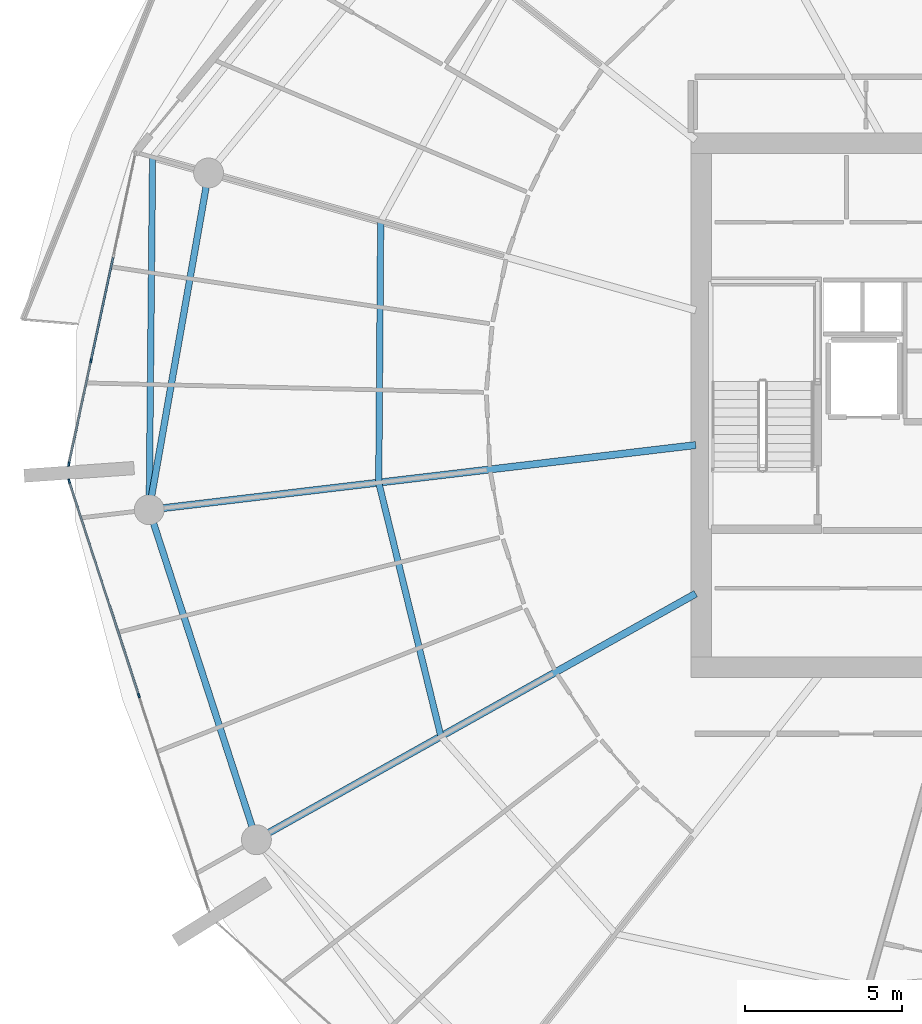
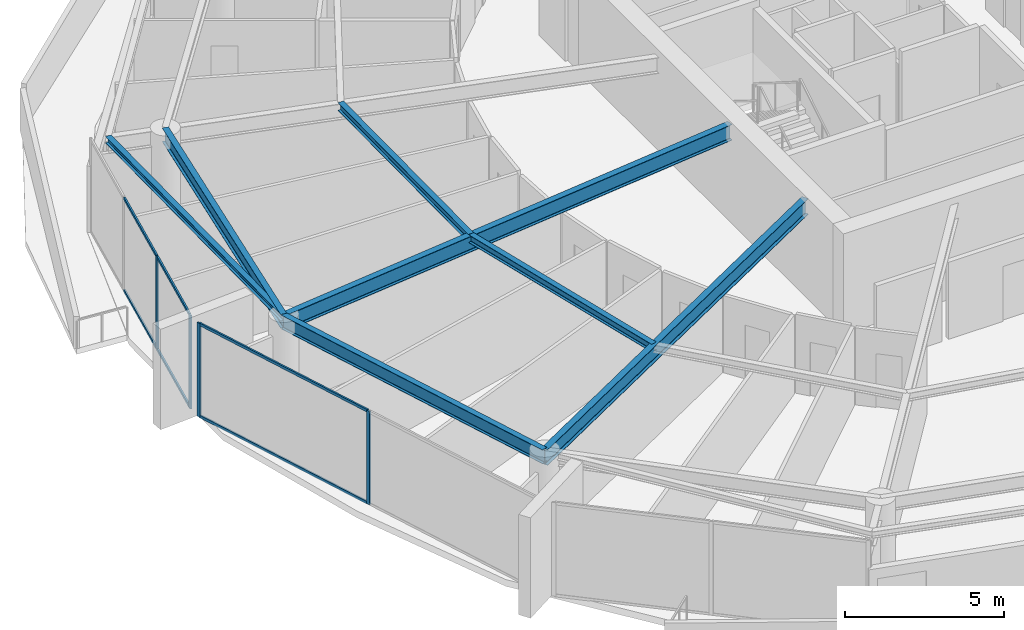
# One storey, part 8 of 31: 10 members, 7 beams, 2 elements without a shape of their own.
"""IFC4 building model written with IfcOpenShell, lengths in metres."""

from ifc_helpers import new_model, si_unit, direction, frame, origin, origin_2d, place, context, subcontext, project, spatial, rectangle, i_section, extrude, material, layer, layer_set, material_profile, profile_set, type_object, element, aggregate, save


model = new_model("IFC4")

# Units and contexts
model_context = context("Model", 3, precision=1e-05, world=origin(), true_north=direction((0.0, 1.0)))
body_context = subcontext(model_context, "Body", "Model", "MODEL_VIEW")
ifc_project = project(units=[si_unit("LENGTHUNIT", "METRE"), si_unit("AREAUNIT", "SQUARE_METRE"), si_unit("VOLUMEUNIT", "CUBIC_METRE"), si_unit("PLANEANGLEUNIT", "RADIAN"), si_unit("MASSUNIT", "GRAM", prefix="KILO")], contexts=[model_context])

# Site, building, storey
site_placement = place(None, origin())
site = spatial("IfcSite", under=ifc_project, at=site_placement, CompositionType="ELEMENT")
building_placement = place(site_placement, origin())
building = spatial("IfcBuilding", under=site, at=building_placement, Name="Kazma Halo Residences", CompositionType="ELEMENT")
storey_placement = place(building_placement, frame((0.0, 0.0, 271.35009765625)))
storey = spatial("IfcBuildingStorey", under=building, at=storey_placement, Name="L68", CompositionType="ELEMENT", Elevation=271.35009765625)

# Beams
ifc_material_1 = material(Name="Steel S355", Category="steel")
ifc_material_profile_1 = material_profile(ifc_material_1, i_section(OverallWidth=0.201904296875, OverallDepth=0.2470703125, WebThickness=0.00732421875, FlangeThickness=0.010986328125, FilletRadius=0.011962890625, at=origin_2d()), Name="W250x49.1")
ifc_profile_set_1 = profile_set([ifc_material_profile_1], Name="Steel S355")
beam_type_1 = type_object("IfcBeamType", Name="BM-BAL-CANT", PredefinedType="BEAM", material=ifc_profile_set_1)
beam_1_placement = place(storey_placement, frame((20.028564453125, 49.888916015625, 3.46630859375), z_axis=(-0.009645503464, -0.999953481049, 0.0), x_axis=(0.999953481049, -0.009645503464, 0.0)))
element("IfcBeam", 1, at=beam_1_placement, inside=storey, type_object=beam_type_1, Name="L68 wave-balcony tie beam 07", PredefinedType="BEAM", context=body_context, shape_type="SweptSolid", body=[
    extrude(i_section(OverallWidth=0.201904296875, OverallDepth=0.2470703125, WebThickness=0.00732421875, FlangeThickness=0.010986328125, FilletRadius=0.011962890625, at=origin_2d()), origin(), (0.0, 0.0, 1.0), 11.212890625),
])
ifc_material_profile_2 = material_profile(ifc_material_1, i_section(OverallWidth=0.22802734375, OverallDepth=0.60791015625, WebThickness=0.01123046875, FlangeThickness=0.017333984375, FilletRadius=0.01806640625, at=origin_2d()), Name="W610x113")
ifc_profile_set_2 = profile_set([ifc_material_profile_2], Name="Steel S355")
beam_type_2 = type_object("IfcBeamType", Name="BM-RAD-W610", PredefinedType="BEAM", material=ifc_profile_set_2)
beam_2_placement = place(storey_placement, frame((37.300048828125, 40.733642578125, 3.285888671875), z_axis=(-0.993067702517, -0.117543771495, 0.0), x_axis=(0.117543771495, -0.993067702517, 0.0)))
element("IfcBeam", 2, at=beam_2_placement, inside=storey, type_object=beam_type_2, Name="L68 radial floor beam 08", PredefinedType="BEAM", context=body_context, shape_type="SweptSolid", body=[
    extrude(i_section(OverallWidth=0.22802734375, OverallDepth=0.60791015625, WebThickness=0.01123046875, FlangeThickness=0.017333984375, FilletRadius=0.01806640625, at=origin_2d()), origin(), (0.0, 0.0, 1.0), 17.5009765625),
])
beam_3_placement = place(storey_placement, frame((37.300048828125, 36.0078125, 3.285888671875), z_axis=(-0.872498735757, -0.488616369049, 0.0), x_axis=(0.488616369049, -0.872498735757, 0.0)))
element("IfcBeam", 3, at=beam_3_placement, inside=storey, type_object=beam_type_2, Name="L68 radial floor beam 09", PredefinedType="BEAM", context=body_context, shape_type="SweptSolid", body=[
    extrude(i_section(OverallWidth=0.22802734375, OverallDepth=0.60791015625, WebThickness=0.01123046875, FlangeThickness=0.017333984375, FilletRadius=0.01806640625, at=origin_2d()), origin(), (0.0, 0.0, 1.0), 16.011962890625),
])
ifc_material_profile_3 = material_profile(ifc_material_1, i_section(OverallWidth=0.202880859375, OverallDepth=0.302978515625, WebThickness=0.007568359375, FlangeThickness=0.01318359375, FilletRadius=0.013916015625, at=origin_2d()), Name="W310x60")
ifc_profile_set_3 = profile_set([ifc_material_profile_3], Name="Steel S355")
beam_type_3 = type_object("IfcBeamType", Name="BM-SEC-W310A", PredefinedType="JOIST", material=ifc_profile_set_3)
beam_4_placement = place(storey_placement, frame((27.282470703125, 47.843017578125, 3.4384765625), z_axis=(-0.007527648623, -0.999971666852, 0.0), x_axis=(0.999971666852, -0.007527648623, 0.0)))
element("IfcBeam", 4, at=beam_4_placement, inside=storey, type_object=beam_type_3, Name="L68 circumferential floor joist 07", PredefinedType="JOIST", context=body_context, shape_type="SweptSolid", body=[
    extrude(i_section(OverallWidth=0.202880859375, OverallDepth=0.302978515625, WebThickness=0.007568359375, FlangeThickness=0.01318359375, FilletRadius=0.013916015625, at=origin_2d()), origin(), (0.0, 0.0, 1.0), 8.302734375),
])
beam_5_placement = place(storey_placement, frame((27.219970703125, 39.54052734375, 3.4384765625), z_axis=(0.237963200266, -0.971274171035, 0.0), x_axis=(0.971274171035, 0.237963200266, 0.0)))
element("IfcBeam", 5, at=beam_5_placement, inside=storey, type_object=beam_type_3, Name="L68 circumferential floor joist 08", PredefinedType="JOIST", context=body_context, shape_type="SweptSolid", body=[
    extrude(i_section(OverallWidth=0.202880859375, OverallDepth=0.302978515625, WebThickness=0.007568359375, FlangeThickness=0.01318359375, FilletRadius=0.013916015625, at=origin_2d()), origin(), (0.0, 0.0, 1.0), 8.309326171875),
])
ifc_material_profile_4 = material_profile(ifc_material_1, i_section(OverallWidth=0.208984375, OverallDepth=0.532958984375, WebThickness=0.01025390625, FlangeThickness=0.015625, FilletRadius=0.01611328125, at=origin_2d()), Name="W530x92")
ifc_profile_set_4 = profile_set([ifc_material_profile_4], Name="Steel S355")
beam_type_4 = type_object("IfcBeamType", Name="BM-SPN-W530", PredefinedType="BEAM", material=ifc_profile_set_4)
beam_6_placement = place(storey_placement, frame((21.80908203125, 49.38671875, 3.323486328125), z_axis=(-0.173663672311, -0.984805020763, 0.0), x_axis=(0.984805020763, -0.173663672311, 0.0)))
element("IfcBeam", 6, at=beam_6_placement, inside=storey, type_object=beam_type_4, Name="L68 perimeter ring beam 07", PredefinedType="BEAM", context=body_context, shape_type="SweptSolid", body=[
    extrude(i_section(OverallWidth=0.208984375, OverallDepth=0.532958984375, WebThickness=0.01025390625, FlangeThickness=0.015625, FilletRadius=0.01611328125, at=origin_2d()), origin(), (0.0, 0.0, 1.0), 10.87548828125),
])
beam_7_placement = place(storey_placement, frame((19.92041015625, 38.676513671875, 3.323486328125), z_axis=(0.309015517474, -0.951056996168, 0.0), x_axis=(0.951056996168, 0.309015517474, 0.0)))
element("IfcBeam", 7, at=beam_7_placement, inside=storey, type_object=beam_type_4, Name="L68 perimeter ring beam 08", PredefinedType="BEAM", context=body_context, shape_type="SweptSolid", body=[
    extrude(i_section(OverallWidth=0.208984375, OverallDepth=0.532958984375, WebThickness=0.01025390625, FlangeThickness=0.015625, FilletRadius=0.01611328125, at=origin_2d()), origin(), (0.0, 0.0, 1.0), 11.032470703125),
])

# Curtain wall, members
ifc_material_2 = material(Name="Aluminium AW-6063 T6 and Triple-Silver Low-E Glass", Category="aluminium")
ifc_layer = layer(ifc_material_2, 0.139892578125)
ifc_layer_set = layer_set([ifc_layer], Name="Aluminium AW-6063 T6 and Triple-Silver Low-E Glass")
curtain_wall_type = type_object("IfcCurtainWallType", Name="CW-SYS-5", PredefinedType="NOTDEFINED", material=ifc_layer_set)
curtain_wall_1_placement = place(storey_placement, origin())
curtain_wall_1 = element("IfcCurtainWall", 8, at=curtain_wall_1_placement, inside=storey, type_object=curtain_wall_type, Name="L68 unitised curtain wall B07", PredefinedType="NOTDEFINED")
ifc_material_3 = material(Name="Aluminium AW-6063 T6", Category="aluminium")
ifc_material_profile_5 = material_profile(ifc_material_3, rectangle(XDim=0.06005859375, YDim=0.139892578125, at=origin_2d()), Name="CWM-60x140")
ifc_profile_set_5 = profile_set([ifc_material_profile_5], Name="Aluminium AW-6063 T6")
member_type_1 = type_object("IfcMemberType", Name="CW-SYS-5-MUL", PredefinedType="MULLION", material=ifc_profile_set_5)
member_1_placement = place(storey_placement, frame((18.0703125, 43.412841796875, 0.0), z_axis=(0.0, 0.0, 1.0), x_axis=(0.97777491373, -0.209657382603, 0.0)))
member_1 = element("IfcMember", 9, at=member_1_placement, type_object=member_type_1, Name="CWS-5 mullion 3", PredefinedType="MULLION", context=body_context, shape_type="SweptSolid", body=[
    extrude(rectangle(XDim=0.06005859375, YDim=0.139892578125, at=origin_2d()), origin(), (0.0, 0.0, 1.0), 3.58984375),
])
member_2_placement = place(storey_placement, frame((17.3662109375, 40.12841796875, 0.0), z_axis=(0.0, 0.0, 1.0), x_axis=(0.97777491373, -0.209657382603, 0.0)))
member_2 = element("IfcMember", 10, at=member_2_placement, type_object=member_type_1, Name="CWS-5 mullion 4", PredefinedType="MULLION", context=body_context, shape_type="SweptSolid", body=[
    extrude(rectangle(XDim=0.06005859375, YDim=0.139892578125, at=origin_2d()), origin(), (0.0, 0.0, 1.0), 3.58984375),
])

curtain_wall_2_placement = place(storey_placement, origin())
curtain_wall_2 = element("IfcCurtainWall", 11, at=curtain_wall_2_placement, inside=storey, type_object=curtain_wall_type, Name="L68 unitised curtain wall B08", PredefinedType="NOTDEFINED")
member_3_placement = place(storey_placement, frame((17.377197265625, 39.587646484375, 0.0), z_axis=(0.0, 0.0, 1.0), x_axis=(0.951058464359, 0.309010998786, 0.0)))
member_3 = element("IfcMember", 12, at=member_3_placement, type_object=member_type_1, Name="CWS-5 mullion 1", PredefinedType="MULLION", context=body_context, shape_type="SweptSolid", body=[
    extrude(rectangle(XDim=0.06005859375, YDim=0.139892578125, at=origin_2d()), origin(), (0.0, 0.0, 1.0), 3.58984375),
])
member_4_placement = place(storey_placement, frame((19.59228515625, 32.769775390625, 0.0), z_axis=(0.0, 0.0, 1.0), x_axis=(0.951058464359, 0.309010998786, 0.0)))
member_4 = element("IfcMember", 13, at=member_4_placement, type_object=member_type_1, Name="CWS-5 mullion 2", PredefinedType="MULLION", context=body_context, shape_type="SweptSolid", body=[
    extrude(rectangle(XDim=0.06005859375, YDim=0.139892578125, at=origin_2d()), origin(), (0.0, 0.0, 1.0), 3.58984375),
])

# Member
ifc_material_profile_6 = material_profile(ifc_material_3, rectangle(XDim=0.06005859375, YDim=0.10498046875, at=origin_2d()), Name="CWT-60x105")
ifc_profile_set_6 = profile_set([ifc_material_profile_6], Name="Aluminium AW-6063 T6")
member_type_2 = type_object("IfcMemberType", Name="CW-SYS-5-TRN", PredefinedType="USERDEFINED", material=ifc_profile_set_6)
member_5_placement = place(storey_placement, frame((18.774658203125, 46.697265625, 0.02978515625), z_axis=(-0.209664309019, -0.977773428522, 0.0), x_axis=(0.977773428522, -0.209664309019, 0.0)))
member_5 = element("IfcMember", 14, at=member_5_placement, type_object=member_type_2, Name="CWS-5 transom 2.1", ObjectType="TRANSOM", PredefinedType="USERDEFINED", context=body_context, shape_type="SweptSolid", body=[
    extrude(rectangle(XDim=0.06005859375, YDim=0.10498046875, at=origin_2d()), origin(), (0.0, 0.0, 1.0), 3.3291015625),
])

member_6_placement = place(storey_placement, frame((18.774658203125, 46.697265625, 3.559814453125), z_axis=(-0.209664309019, -0.977773428522, 0.0), x_axis=(0.977773428522, -0.209664309019, 0.0)))
member_6 = element("IfcMember", 15, at=member_6_placement, type_object=member_type_2, Name="CWS-5 transom 2.2", ObjectType="TRANSOM", PredefinedType="USERDEFINED", context=body_context, shape_type="SweptSolid", body=[
    extrude(rectangle(XDim=0.06005859375, YDim=0.10498046875, at=origin_2d()), origin(), (0.0, 0.0, 1.0), 3.3291015625),
])

member_7_placement = place(storey_placement, frame((18.064208984375, 43.383544921875, 0.02978515625), z_axis=(-0.209645323239, -0.977777499457, 0.0), x_axis=(0.977777499457, -0.209645323239, 0.0)))
member_7 = element("IfcMember", 16, at=member_7_placement, type_object=member_type_2, Name="CWS-5 transom 3.1", ObjectType="TRANSOM", PredefinedType="USERDEFINED", context=body_context, shape_type="SweptSolid", body=[
    extrude(rectangle(XDim=0.06005859375, YDim=0.10498046875, at=origin_2d()), origin(), (0.0, 0.0, 1.0), 3.299072265625),
])

member_8_placement = place(storey_placement, frame((18.064208984375, 43.383544921875, 3.559814453125), z_axis=(-0.209645323239, -0.977777499457, 0.0), x_axis=(0.977777499457, -0.209645323239, 0.0)))
member_8 = element("IfcMember", 17, at=member_8_placement, type_object=member_type_2, Name="CWS-5 transom 3.2", ObjectType="TRANSOM", PredefinedType="USERDEFINED", context=body_context, shape_type="SweptSolid", body=[
    extrude(rectangle(XDim=0.06005859375, YDim=0.10498046875, at=origin_2d()), origin(), (0.0, 0.0, 1.0), 3.299072265625),
])

aggregate(curtain_wall_1, [member_1, member_2, member_5, member_6, member_7, member_8])

member_9_placement = place(storey_placement, frame((17.386474609375, 39.55908203125, 0.02978515625), z_axis=(0.308995987448, -0.951063341603, 0.0), x_axis=(0.951063341603, 0.308995987448, 0.0)))
member_9 = element("IfcMember", 18, at=member_9_placement, type_object=member_type_2, Name="CWS-5 transom 1.1", ObjectType="TRANSOM", PredefinedType="USERDEFINED", context=body_context, shape_type="SweptSolid", body=[
    extrude(rectangle(XDim=0.06005859375, YDim=0.10498046875, at=origin_2d()), origin(), (0.0, 0.0, 1.0), 7.108642578125),
])

member_10_placement = place(storey_placement, frame((17.386474609375, 39.55908203125, 3.559814453125), z_axis=(0.308995987448, -0.951063341603, 0.0), x_axis=(0.951063341603, 0.308995987448, 0.0)))
member_10 = element("IfcMember", 19, at=member_10_placement, type_object=member_type_2, Name="CWS-5 transom 1.2", ObjectType="TRANSOM", PredefinedType="USERDEFINED", context=body_context, shape_type="SweptSolid", body=[
    extrude(rectangle(XDim=0.06005859375, YDim=0.10498046875, at=origin_2d()), origin(), (0.0, 0.0, 1.0), 7.108642578125),
])

aggregate(curtain_wall_2, [member_3, member_4, member_9, member_10])

save(model, "model.ifc")
